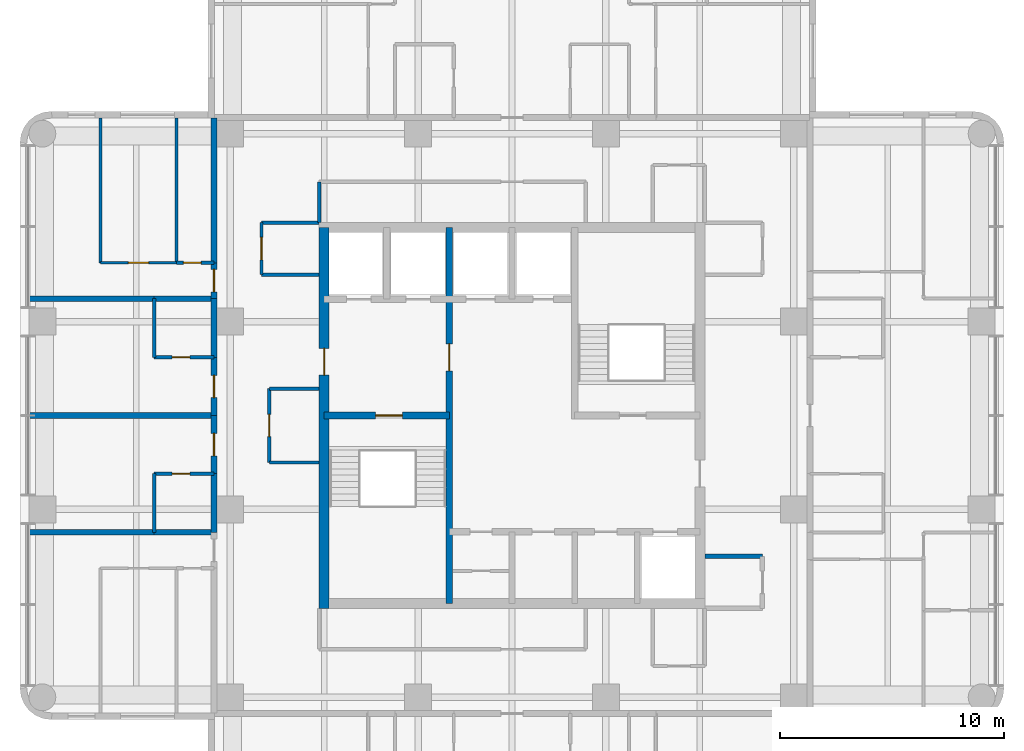
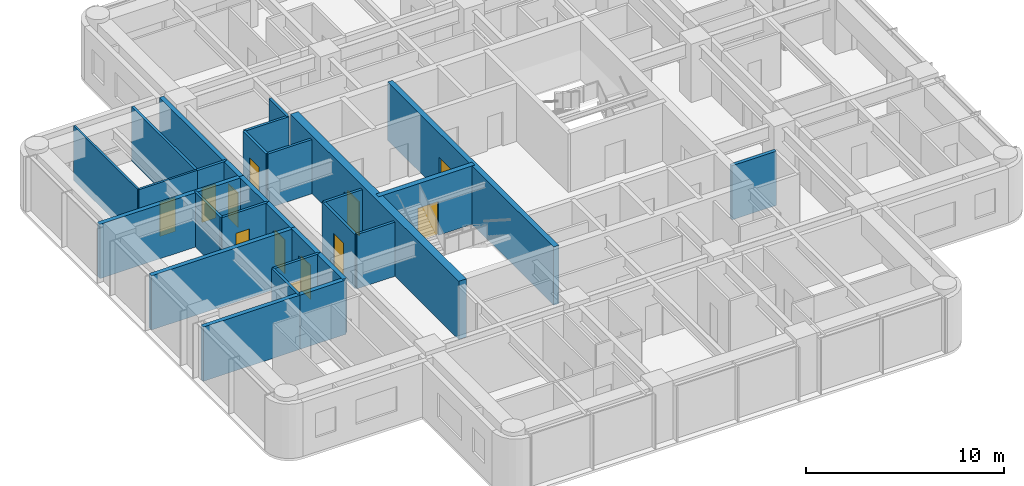
# One storey, part 5 of 10: 30 walls, 12 doors, 12 openings.
"""IFC4 building model written with IfcOpenShell, lengths in metres."""

import ifcopenshell
import ifcopenshell.guid

model = None  # the IFC model being written
_history = None  # IfcOwnerHistory: only IFC2X3 demands one
_inside = {}  # id of a spatial element -> (the spatial element, [elements in it])
_under = {}  # id of a project, library or spatial element -> (it, [spatial elements below it])
_declared = {}  # id of a project -> (the project, [libraries it declares])
_typed = {}  # id of a type object -> (the type object, [elements of that type])
_made_of = {}  # id of a material, layer set ... -> (it, [elements and type objects made of it])


def new_model(schema):
    """Start an empty IFC model of exactly this schema.

    Asked for "IFC4X3", IfcOpenShell would pick the latest addendum, in which some entities
    have other attributes; the version numbers below select the first issue.
    IFC2X3 requires an IfcOwnerHistory on every rooted entity: one is made here for all.
    """
    global model, _history
    if schema == "IFC4X3":
        model = ifcopenshell.file(schema_version=(4, 3, 0, 0))
    else:
        model = ifcopenshell.file(schema=schema)
    _inside.clear()
    _under.clear()
    _declared.clear()
    _typed.clear()
    _made_of.clear()
    _history = None
    if model.schema == "IFC2X3":
        org = make("IfcOrganization", Name="unknown")
        user = make(
            "IfcPersonAndOrganization",
            ThePerson=make("IfcPerson", FamilyName="unknown"),
            TheOrganization=org,
        )
        app = make(
            "IfcApplication",
            ApplicationDeveloper=org,
            Version="unknown",
            ApplicationFullName="unknown",
            ApplicationIdentifier="unknown",
        )
        _history = make(
            "IfcOwnerHistory",
            OwningUser=user,
            OwningApplication=app,
            ChangeAction="ADDED",
            CreationDate=0,
        )
    return model


def make(cls, **values):
    """One entity of the class cls with the attributes given. An attribute that is None is left unset."""
    return model.create_entity(
        cls, **{name: value for name, value in values.items() if value is not None}
    )


def rooted(cls, **values):
    """An entity with a GlobalId (a new one), such as an element, a storey or a relation."""
    return make(cls, GlobalId=ifcopenshell.guid.new(), OwnerHistory=_history, **values)


def si_unit(unit_type, name, prefix=None):
    """IfcSIUnit, for example si_unit("LENGTHUNIT", "METRE", prefix="MILLI")."""
    return make("IfcSIUnit", UnitType=unit_type, Prefix=prefix, Name=name)


def assignment(units):
    """IfcUnitAssignment: the units of a project."""
    return None if units is None else make("IfcUnitAssignment", Units=units)


def point(xyz):
    """IfcCartesianPoint."""
    return None if xyz is None else make("IfcCartesianPoint", Coordinates=xyz)


def direction(xyz):
    """IfcDirection."""
    return None if xyz is None else make("IfcDirection", DirectionRatios=xyz)


def frame(location, z_axis=None, x_axis=None):
    """IfcAxis2Placement3D, a coordinate frame: its origin and axes. An axis left out is left unset."""
    return make(
        "IfcAxis2Placement3D",
        Location=point(location),
        Axis=direction(z_axis),
        RefDirection=direction(x_axis),
    )


def frame_2d(location, x_axis=None):
    """IfcAxis2Placement2D, a coordinate frame in the plane: its origin and x axis."""
    return make(
        "IfcAxis2Placement2D", Location=point(location), RefDirection=direction(x_axis)
    )


def origin():
    """The frame at (0, 0, 0) with its axes left unset."""
    return frame((0.0, 0.0, 0.0))


def place(relative_to, where):
    """IfcLocalPlacement: puts the frame where relative to a parent placement (None: the world)."""
    return make(
        "IfcLocalPlacement", PlacementRelTo=relative_to, RelativePlacement=where
    )


def context(
    kind, dimensions, precision=None, world=None, true_north=None, identifier=None
):
    """IfcGeometricRepresentationContext, for example the 3D "Model" context."""
    return make(
        "IfcGeometricRepresentationContext",
        ContextIdentifier=identifier,
        ContextType=kind,
        CoordinateSpaceDimension=dimensions,
        Precision=precision,
        WorldCoordinateSystem=world,
        TrueNorth=true_north,
    )


def subcontext(parent, identifier, kind, view, scale=None):
    """IfcGeometricRepresentationSubContext, for example "Body" below "Model"."""
    return make(
        "IfcGeometricRepresentationSubContext",
        ContextIdentifier=identifier,
        ContextType=kind,
        ParentContext=parent,
        TargetScale=scale,
        TargetView=view,
    )


def project(units=None, contexts=None):
    """IfcProject with its units and contexts."""
    return rooted(
        "IfcProject",
        Name="project",
        RepresentationContexts=contexts,
        UnitsInContext=assignment(units),
    )


def spatial(cls, under=None, at=None, **own):
    """A site, building, storey or space (cls), placed at a placement, below another one or the project."""
    s = rooted(cls, ObjectPlacement=at, **own)
    if under is not None:
        _under.setdefault(under.id(), (under, []))[1].append(s)
    return s


def profile(cls, at=None, kind="AREA", **sizes):
    """A parametric profile (cls). Its sizes go by their IFC names, for example OverallWidth=200.0."""
    return make(cls, ProfileType=kind, Position=at, **sizes)


def rectangle(**sizes):
    """IfcRectangleProfileDef."""
    return profile("IfcRectangleProfileDef", **sizes)


def extrude(swept, where, along, depth):
    """IfcExtrudedAreaSolid: the profile swept, set in the frame where, extruded along a direction by depth."""
    return make(
        "IfcExtrudedAreaSolid",
        SweptArea=swept,
        Position=where,
        ExtrudedDirection=direction(along),
        Depth=depth,
    )


def shape(context_of_items, identifier, shape_type, items):
    """IfcShapeRepresentation: the items that make up one representation, for example the "Body"."""
    return make(
        "IfcShapeRepresentation",
        ContextOfItems=context_of_items,
        RepresentationIdentifier=identifier,
        RepresentationType=shape_type,
        Items=items,
    )


def material(Name=None, Category=None):
    """IfcMaterial."""
    return make("IfcMaterial", Name=Name, Category=Category)


def layer(
    of_material, thickness, ventilated=None, Name=None, Category=None, Priority=None
):
    """IfcMaterialLayer: one layer of a wall or slab, of a material (None: an air gap)."""
    return make(
        "IfcMaterialLayer",
        Material=of_material,
        LayerThickness=thickness,
        IsVentilated=ventilated,
        Name=Name,
        Category=Category,
        Priority=Priority,
    )


def layer_set(layers, Name=None):
    """IfcMaterialLayerSet."""
    return make("IfcMaterialLayerSet", MaterialLayers=layers, LayerSetName=Name)


def made_of(thing, what):
    """Note that an element or type object is made of a material, layer set ...; save() writes the relation."""
    if what is not None:
        _made_of.setdefault(what.id(), (what, []))[1].append(thing)
    return thing


def type_object(cls, material=None, **own):
    """A type object (cls), such as IfcWallType, which elements share."""
    return made_of(rooted(cls, **own), material)


def element(
    cls,
    number,
    at=None,
    inside=None,
    cuts=None,
    type_object=None,
    material=None,
    context=None,
    identifier="Body",
    shape_type=None,
    held_by="IfcProductDefinitionShape",
    body=None,
    shapes=None,
    **own,
):
    """One element of the class cls, such as IfcWall. Its Tag is "e" and its number.

    at: its placement. inside: the storey or other place that contains it. cuts: it is an
    opening in that element (IfcRelVoidsElement). A single representation is given by context,
    identifier, shape_type and body (its items); several are given by shapes. held_by: the class
    of the entity that holds the representations. save() writes the other relations.
    """
    e = rooted(cls, Tag="e%d" % number, ObjectPlacement=at, **own)
    if body is not None:
        shapes = [shape(context, identifier, shape_type, body)]
    if shapes is not None:
        e.Representation = make(held_by, Representations=shapes)
    if inside is not None:
        _inside.setdefault(inside.id(), (inside, []))[1].append(e)
    if cuts is not None:
        rooted(
            "IfcRelVoidsElement", RelatingBuildingElement=cuts, RelatedOpeningElement=e
        )
    if type_object is not None:
        _typed.setdefault(type_object.id(), (type_object, []))[1].append(e)
    return made_of(e, material)


def fill(opening, filler):
    """IfcRelFillsElement: the door or window that sits in an opening."""
    return rooted(
        "IfcRelFillsElement",
        RelatingOpeningElement=opening,
        RelatedBuildingElement=filler,
    )


def aggregate(whole, parts):
    """IfcRelAggregates: a whole, such as a stair, and the parts it consists of."""
    return rooted("IfcRelAggregates", RelatingObject=whole, RelatedObjects=parts)


def save(model, path):
    """Write the relations noted so far, then the file.

    IfcRelAggregates (storeys below a building ...), IfcRelContainedInSpatialStructure (elements
    in a storey), IfcRelDefinesByType, IfcRelAssociatesMaterial and IfcRelDeclares: one each for
    every whole, place, type object, material and project.
    """
    for whole, parts in _under.values():
        aggregate(whole, parts)
    for where, things in _inside.values():
        rooted(
            "IfcRelContainedInSpatialStructure",
            RelatedElements=things,
            RelatingStructure=where,
        )
    for kind, things in _typed.values():
        rooted("IfcRelDefinesByType", RelatedObjects=things, RelatingType=kind)
    for what, things in _made_of.values():
        rooted("IfcRelAssociatesMaterial", RelatedObjects=things, RelatingMaterial=what)
    for by, libraries in _declared.values():
        rooted("IfcRelDeclares", RelatingContext=by, RelatedDefinitions=libraries)
    model.write(path)


model = new_model("IFC4")

# Units and contexts
model_context = context("Model", 3, precision=1e-05, world=origin(), true_north=direction((0.0, 1.0)))
body_context = subcontext(model_context, "Body", "Model", "MODEL_VIEW")
ifc_project = project(units=[si_unit("LENGTHUNIT", "METRE"), si_unit("AREAUNIT", "SQUARE_METRE"), si_unit("VOLUMEUNIT", "CUBIC_METRE"), si_unit("PLANEANGLEUNIT", "RADIAN"), si_unit("MASSUNIT", "GRAM", prefix="KILO")], contexts=[model_context])

# Site, building, storey
site_placement = place(None, origin())
site = spatial("IfcSite", under=ifc_project, at=site_placement, CompositionType="ELEMENT")
building_placement = place(site_placement, origin())
building = spatial("IfcBuilding", under=site, at=building_placement, Name="Torre Alcanfor", CompositionType="ELEMENT")
storey_placement = place(building_placement, frame((0.0, 0.0, 297.300048828125)))
storey = spatial("IfcBuildingStorey", under=building, at=storey_placement, Name="L78", CompositionType="ELEMENT", Elevation=297.300048828125)

# Wall, opening, door
ifc_material_1 = material(Name="Concrete block masonry, hollow blocks NMX-C-404 9 MPa", Category="masonry")
ifc_layer_1 = layer(ifc_material_1, 0.25)
ifc_layer_set_1 = layer_set([ifc_layer_1], Name="Apartment entrance wall 250 EI 60")
wall_type_1 = type_object("IfcWallType", Name="Apartment entrance wall 250 EI 60", PredefinedType="PARTITIONING", material=ifc_layer_set_1)
wall_1_placement = place(storey_placement, frame((16.074951171875, 26.800048828125, 0.0), z_axis=(0.0, 0.0, 1.0), x_axis=(0.0, 1.0, 0.0)))
wall_1 = element("IfcWall", 1, at=wall_1_placement, inside=storey, type_object=wall_type_1, Name="Partition L78-CORR / L78-W1A-STUDIO", PredefinedType="PARTITIONING", context=body_context, shape_type="SweptSolid", body=[
    extrude(rectangle(XDim=2.599853515625, YDim=0.25, at=frame_2d((1.2998046875, 0.0))), origin(), (0.0, 0.0, 1.0), 3.349853515625),
])
opening_1_placement = place(wall_1_placement, frame((0.800048828125, 0.0, 0.0)))
opening_1 = element("IfcOpeningElement", 2, at=opening_1_placement, cuts=wall_1, Name="Opening D-A1", PredefinedType="OPENING", context=body_context, shape_type="SweptSolid", body=[
    extrude(rectangle(XDim=1.0, YDim=2.10009765625, at=frame_2d((0.5, 1.050048828125))), frame((0.0, 0.135009765625, 0.0), z_axis=(0.0, -1.0, 0.0), x_axis=(1.0, 0.0, 0.0)), (0.0, 0.0, 1.0), 0.27001953125),
])
ifc_material_2 = material(Name="Galvanised steel sheet ASTM A653", Category="steel")
door_type_1 = type_object("IfcDoorType", Name="Apartment entrance door FD60 1000x2100", OperationType="SINGLE_SWING_LEFT", PredefinedType="DOOR", material=ifc_material_2)
door_1_placement = place(opening_1_placement, origin())
door_1 = element("IfcDoor", 3, at=door_1_placement, inside=storey, type_object=door_type_1, Name="Apartment entrance L78-W1A", OperationType="SINGLE_SWING_LEFT", OverallHeight=2.10009765625, OverallWidth=1.0, PredefinedType="DOOR", context=body_context, shape_type="SweptSolid", body=[
    extrude(rectangle(XDim=1.0, YDim=2.10009765625, at=frame_2d((0.5, 1.050048828125))), frame((0.0, 0.02490234375, 0.0), z_axis=(0.0, -1.0, 0.0), x_axis=(1.0, 0.0, 0.0)), (0.0, 0.0, 1.0), 0.050048828125),
])
fill(opening_1, door_1)

# Wall
wall_2_placement = place(storey_placement, frame((16.074951171875, 24.1708984375, 0.0), z_axis=(0.0, 0.0, 1.0), x_axis=(0.0, 1.0, 0.0)))
element("IfcWall", 4, at=wall_2_placement, inside=storey, type_object=wall_type_1, Name="Partition L78-CORR / L78-W1A-BATH", PredefinedType="PARTITIONING", context=body_context, shape_type="SweptSolid", body=[
    extrude(rectangle(XDim=2.629150390625, YDim=0.25, at=frame_2d((1.314453125, 0.0))), origin(), (0.0, 0.0, 1.0), 3.349853515625),
])

# Wall, opening, door
wall_3_placement = place(storey_placement, frame((16.074951171875, 29.39990234375, 0.0), z_axis=(0.0, 0.0, 1.0), x_axis=(0.0, 1.0, 0.0)))
wall_3 = element("IfcWall", 5, at=wall_3_placement, inside=storey, type_object=wall_type_1, Name="Partition L78-CORR / L78-W2A-STUDIO", PredefinedType="PARTITIONING", context=body_context, shape_type="SweptSolid", body=[
    extrude(rectangle(XDim=2.60009765625, YDim=0.25, at=frame_2d((1.300048828125, 0.0))), origin(), (0.0, 0.0, 1.0), 3.349853515625),
])
opening_2_placement = place(wall_3_placement, frame((0.800048828125, 0.0, 0.0)))
opening_2 = element("IfcOpeningElement", 6, at=opening_2_placement, cuts=wall_3, Name="Opening D-A1", PredefinedType="OPENING", context=body_context, shape_type="SweptSolid", body=[
    extrude(rectangle(XDim=1.0, YDim=2.10009765625, at=frame_2d((0.5, 1.050048828125))), frame((0.0, 0.135009765625, 0.0), z_axis=(0.0, -1.0, 0.0), x_axis=(1.0, 0.0, 0.0)), (0.0, 0.0, 1.0), 0.27001953125),
])
door_2_placement = place(opening_2_placement, origin())
door_2 = element("IfcDoor", 7, at=door_2_placement, inside=storey, type_object=door_type_1, Name="Apartment entrance L78-W2A", OperationType="SINGLE_SWING_LEFT", OverallHeight=2.10009765625, OverallWidth=1.0, PredefinedType="DOOR", context=body_context, shape_type="SweptSolid", body=[
    extrude(rectangle(XDim=1.0, YDim=2.10009765625, at=frame_2d((0.5, 1.050048828125))), frame((0.0, 0.02490234375, 0.0), z_axis=(0.0, -1.0, 0.0), x_axis=(1.0, 0.0, 0.0)), (0.0, 0.0, 1.0), 0.050048828125),
])
fill(opening_2, door_2)

# Wall
wall_4_placement = place(storey_placement, frame((16.074951171875, 32.0, 0.0), z_axis=(0.0, 0.0, 1.0), x_axis=(0.0, 1.0, 0.0)))
element("IfcWall", 8, at=wall_4_placement, inside=storey, type_object=wall_type_1, Name="Partition L78-CORR / L78-W2A-BATH", PredefinedType="PARTITIONING", context=body_context, shape_type="SweptSolid", body=[
    extrude(rectangle(XDim=2.62890625, YDim=0.25, at=frame_2d((1.314453125, 0.0))), origin(), (0.0, 0.0, 1.0), 3.349853515625),
])

# Wall, opening, door
wall_5_placement = place(storey_placement, frame((16.074951171875, 34.62890625, 0.0), z_axis=(0.0, 0.0, 1.0), x_axis=(0.0, 1.0, 0.0)))
wall_5 = element("IfcWall", 9, at=wall_5_placement, inside=storey, type_object=wall_type_1, Name="Partition L78-CORR / L78-W2B-LIVING", PredefinedType="PARTITIONING", context=body_context, shape_type="SweptSolid", body=[
    extrude(rectangle(XDim=1.60009765625, YDim=0.25, at=frame_2d((0.800048828125, 0.0))), origin(), (0.0, 0.0, 1.0), 3.349853515625),
])
opening_3_placement = place(wall_5_placement, frame((0.300048828125, 0.0, 0.0)))
opening_3 = element("IfcOpeningElement", 10, at=opening_3_placement, cuts=wall_5, Name="Opening D-A1", PredefinedType="OPENING", context=body_context, shape_type="SweptSolid", body=[
    extrude(rectangle(XDim=1.0, YDim=2.10009765625, at=frame_2d((0.5, 1.050048828125))), frame((0.0, 0.135009765625, 0.0), z_axis=(0.0, -1.0, 0.0), x_axis=(1.0, 0.0, 0.0)), (0.0, 0.0, 1.0), 0.27001953125),
])
door_3_placement = place(opening_3_placement, origin())
door_3 = element("IfcDoor", 11, at=door_3_placement, inside=storey, type_object=door_type_1, Name="Apartment entrance L78-W2B", OperationType="SINGLE_SWING_LEFT", OverallHeight=2.10009765625, OverallWidth=1.0, PredefinedType="DOOR", context=body_context, shape_type="SweptSolid", body=[
    extrude(rectangle(XDim=1.0, YDim=2.10009765625, at=frame_2d((0.5, 1.050048828125))), frame((0.0, 0.02490234375, 0.0), z_axis=(0.0, -1.0, 0.0), x_axis=(1.0, 0.0, 0.0)), (0.0, 0.0, 1.0), 0.050048828125),
])
fill(opening_3, door_3)

# Walls
wall_6_placement = place(storey_placement, frame((16.074951171875, 36.22900390625, 0.0), z_axis=(0.0, 0.0, 1.0), x_axis=(0.0, 1.0, 0.0)))
element("IfcWall", 12, at=wall_6_placement, inside=storey, type_object=wall_type_1, Name="Partition L78-CORR / L78-W2B-BATH", PredefinedType="PARTITIONING", context=body_context, shape_type="SweptSolid", body=[
    extrude(rectangle(XDim=6.470947265625, YDim=0.25, at=frame_2d((3.2353515625, 0.0))), origin(), (0.0, 0.0, 1.0), 3.349853515625),
])
ifc_material_3 = material(Name="Gypsum board on steel studs", Category="steel")
ifc_layer_2 = layer(ifc_material_3, 0.1201171875)
ifc_layer_set_2 = layer_set([ifc_layer_2], Name="Apartment partition 120")
wall_type_2 = type_object("IfcWallType", Name="Apartment partition 120", PredefinedType="PARTITIONING", material=ifc_layer_set_2)
wall_7_placement = place(storey_placement, frame((11.0, 42.699951171875, 0.0), z_axis=(0.0, 0.0, 1.0), x_axis=(0.0, -1.0, 0.0)))
element("IfcWall", 13, at=wall_7_placement, inside=storey, type_object=wall_type_2, Name="Partition L78-W2B-LIVING / L78-W2B-MASTER", PredefinedType="PARTITIONING", context=body_context, shape_type="SweptSolid", body=[
    extrude(rectangle(XDim=6.470947265625, YDim=0.1201171875, at=frame_2d((3.2353515625, 0.0))), origin(), (0.0, 0.0, 1.0), 3.349853515625),
])

# Wall, opening, door
wall_8_placement = place(storey_placement, frame((11.0, 36.22900390625, 0.0), z_axis=(0.0, 0.0, 1.0), x_axis=(1.0, 0.0, 0.0)))
wall_8 = element("IfcWall", 14, at=wall_8_placement, inside=storey, type_object=wall_type_2, Name="Partition L78-W2B-LIVING / L78-W2B-MASTER", PredefinedType="PARTITIONING", context=body_context, shape_type="SweptSolid", body=[
    extrude(rectangle(XDim=3.39990234375, YDim=0.1201171875, at=frame_2d((1.699951171875, 0.0))), origin(), (0.0, 0.0, 1.0), 3.349853515625),
])
opening_4_placement = place(wall_8_placement, frame((1.25, 0.0, 0.0)))
opening_4 = element("IfcOpeningElement", 15, at=opening_4_placement, cuts=wall_8, Name="Opening D-R1", PredefinedType="OPENING", context=body_context, shape_type="SweptSolid", body=[
    extrude(rectangle(XDim=0.89990234375, YDim=2.10009765625, at=frame_2d((0.449951171875, 1.050048828125))), frame((0.0, 0.070068359375, 0.0), z_axis=(0.0, -1.0, 0.0), x_axis=(1.0, 0.0, 0.0)), (0.0, 0.0, 1.0), 0.14013671875),
])
ifc_material_4 = material(Name="Timber", Category="wood")
door_type_2 = type_object("IfcDoorType", Name="Internal door 900x2100", OperationType="SINGLE_SWING_LEFT", PredefinedType="DOOR", material=ifc_material_4)
door_4_placement = place(opening_4_placement, origin())
door_4 = element("IfcDoor", 16, at=door_4_placement, inside=storey, type_object=door_type_2, Name="Door L78-W2B master", OperationType="SINGLE_SWING_LEFT", OverallHeight=2.10009765625, OverallWidth=0.89990234375, PredefinedType="DOOR", context=body_context, shape_type="SweptSolid", body=[
    extrude(rectangle(XDim=0.89990234375, YDim=2.10009765625, at=frame_2d((0.449951171875, 1.050048828125))), frame((0.0, 0.02490234375, 0.0), z_axis=(0.0, -1.0, 0.0), x_axis=(1.0, 0.0, 0.0)), (0.0, 0.0, 1.0), 0.050048828125),
])
fill(opening_4, door_4)

ifc_material_5 = material(Name="Concrete f'c 70 MPa", Category="concrete")
ifc_layer_3 = layer(ifc_material_5, 0.300048828125)
ifc_layer_set_3 = layer_set([ifc_layer_3], Name="Core inner wall 300 f'c70")
wall_type_3 = type_object("IfcWallType", Name="Core inner wall 300 f'c70", PredefinedType="SHEAR", material=ifc_layer_set_3)
wall_9_placement = place(storey_placement, frame((26.60009765625, 21.0, 0.0), z_axis=(0.0, 0.0, 1.0), x_axis=(0.0, 1.0, 0.0)))
wall_9 = element("IfcWall", 17, at=wall_9_placement, inside=storey, type_object=wall_type_3, Name="Core wall X266 L78", PredefinedType="SHEAR", context=body_context, shape_type="SweptSolid", body=[
    extrude(rectangle(XDim=16.800048828125, YDim=0.300048828125, at=frame_2d((8.39990234375, 0.0))), origin(), (0.0, 0.0, 1.0), 3.599853515625),
])
opening_5_placement = place(wall_9_placement, frame((10.39990234375, 0.0, 0.0)))
opening_5 = element("IfcOpeningElement", 18, at=opening_5_placement, cuts=wall_9, Name="Opening D-L1", PredefinedType="OPENING", context=body_context, shape_type="SweptSolid", body=[
    extrude(rectangle(XDim=1.199951171875, YDim=2.10009765625, at=frame_2d((0.60009765625, 1.050048828125))), frame((0.0, 0.159912109375, 0.0), z_axis=(0.0, -1.0, 0.0), x_axis=(1.0, 0.0, 0.0)), (0.0, 0.0, 1.0), 0.320068359375),
])
ifc_material_6 = material(Name="Galvanised steel sheet ASTM A653", Category="steel")
door_type_3 = type_object("IfcDoorType", Name="Lobby door FD120 1200x2100", OperationType="SINGLE_SWING_LEFT", PredefinedType="DOOR", material=ifc_material_6)
door_5_placement = place(opening_5_placement, origin())
door_5 = element("IfcDoor", 19, at=door_5_placement, inside=storey, type_object=door_type_3, Name="Lift lobby door L78", OperationType="SINGLE_SWING_LEFT", OverallHeight=2.10009765625, OverallWidth=1.199951171875, PredefinedType="DOOR", context=body_context, shape_type="SweptSolid", body=[
    extrude(rectangle(XDim=1.199951171875, YDim=2.10009765625, at=frame_2d((0.60009765625, 1.050048828125))), frame((0.0, 0.02490234375, 0.0), z_axis=(0.0, -1.0, 0.0), x_axis=(1.0, 0.0, 0.0)), (0.0, 0.0, 1.0), 0.050048828125),
])
fill(opening_5, door_5)

wall_10_placement = place(storey_placement, frame((21.0, 29.39990234375, 0.0), z_axis=(0.0, 0.0, 1.0), x_axis=(1.0, 0.0, 0.0)))
wall_10 = element("IfcWall", 20, at=wall_10_placement, inside=storey, type_object=wall_type_3, Name="Core wall Y294W L78", PredefinedType="SHEAR", context=body_context, shape_type="SweptSolid", body=[
    extrude(rectangle(XDim=5.60009765625, YDim=0.300048828125, at=frame_2d((2.800048828125, 0.0))), origin(), (0.0, 0.0, 1.0), 3.599853515625),
])
opening_6_placement = place(wall_10_placement, frame((2.300048828125, 0.0, 0.0)))
opening_6 = element("IfcOpeningElement", 21, at=opening_6_placement, cuts=wall_10, Name="Opening D-S2", PredefinedType="OPENING", context=body_context, shape_type="SweptSolid", body=[
    extrude(rectangle(XDim=1.199951171875, YDim=2.10009765625, at=frame_2d((0.60009765625, 1.050048828125))), frame((0.0, 0.159912109375, 0.0), z_axis=(0.0, -1.0, 0.0), x_axis=(1.0, 0.0, 0.0)), (0.0, 0.0, 1.0), 0.320068359375),
])
ifc_material_7 = material(Name="Galvanised steel sheet ASTM A653", Category="steel")
door_type_4 = type_object("IfcDoorType", Name="Stair enclosure door FD120 1200x2100", OperationType="SINGLE_SWING_LEFT", PredefinedType="DOOR", material=ifc_material_7)
door_6_placement = place(opening_6_placement, frame((1.199951171875, 0.0, 0.0), z_axis=(0.0, 0.0, 1.0), x_axis=(-1.0, 0.0, 0.0)))
door_6 = element("IfcDoor", 22, at=door_6_placement, inside=storey, type_object=door_type_4, Name="Stair S1 door L78", OperationType="SINGLE_SWING_LEFT", OverallHeight=2.10009765625, OverallWidth=1.199951171875, PredefinedType="DOOR", context=body_context, shape_type="SweptSolid", body=[
    extrude(rectangle(XDim=1.199951171875, YDim=2.10009765625, at=frame_2d((0.599853515625, 1.050048828125))), frame((0.0, 0.025146484375, 0.0), z_axis=(0.0, -1.0, 0.0), x_axis=(1.0, 0.0, 0.0)), (0.0, 0.0, 1.0), 0.050048828125),
])
fill(opening_6, door_6)

ifc_material_8 = material(Name="Concrete f'c 70 MPa", Category="concrete")
ifc_layer_4 = layer(ifc_material_8, 0.449951171875)
ifc_layer_set_4 = layer_set([ifc_layer_4], Name="Core wall 450 f'c70")
wall_type_4 = type_object("IfcWallType", Name="Core wall 450 f'c70", PredefinedType="SHEAR", material=ifc_layer_set_4)
wall_11_placement = place(storey_placement, frame((21.0, 37.800048828125, 0.0), z_axis=(0.0, 0.0, 1.0), x_axis=(0.0, -1.0, 0.0)))
wall_11 = element("IfcWall", 23, at=wall_11_placement, inside=storey, type_object=wall_type_4, Name="Core wall OUT-W L78", PredefinedType="SHEAR", context=body_context, shape_type="SweptSolid", body=[
    extrude(rectangle(XDim=17.025146484375, YDim=0.449951171875, at=frame_2d((8.5126953125, 0.0))), origin(), (0.0, 0.0, 1.0), 3.599853515625),
])
opening_7_placement = place(wall_11_placement, frame((5.39990234375, 0.0, 0.0)))
opening_7 = element("IfcOpeningElement", 24, at=opening_7_placement, cuts=wall_11, Name="Opening D-L1", PredefinedType="OPENING", context=body_context, shape_type="SweptSolid", body=[
    extrude(rectangle(XDim=1.199951171875, YDim=2.10009765625, at=frame_2d((0.60009765625, 1.050048828125))), frame((0.0, 0.23486328125, 0.0), z_axis=(0.0, -1.0, 0.0), x_axis=(1.0, 0.0, 0.0)), (0.0, 0.0, 1.0), 0.469970703125),
])
door_7_placement = place(opening_7_placement, origin())
door_7 = element("IfcDoor", 25, at=door_7_placement, inside=storey, type_object=door_type_3, Name="Firefighting lobby door L78", OperationType="SINGLE_SWING_RIGHT", OverallHeight=2.10009765625, OverallWidth=1.199951171875, PredefinedType="DOOR", context=body_context, shape_type="SweptSolid", body=[
    extrude(rectangle(XDim=1.199951171875, YDim=2.10009765625, at=frame_2d((0.60009765625, 1.050048828125))), frame((0.0, 0.02490234375, 0.0), z_axis=(0.0, -1.0, 0.0), x_axis=(1.0, 0.0, 0.0)), (0.0, 0.0, 1.0), 0.050048828125),
])
fill(opening_7, door_7)

# Walls
ifc_material_9 = material(Name="Concrete block masonry, hollow blocks NMX-C-404 9 MPa", Category="masonry")
ifc_layer_5 = layer(ifc_material_9, 0.25)
ifc_layer_set_5 = layer_set([ifc_layer_5], Name="Party wall 250 EI 60")
wall_type_5 = type_object("IfcWallType", Name="Party wall 250 EI 60", PredefinedType="PARTITIONING", material=ifc_layer_set_5)
wall_12_placement = place(storey_placement, frame((13.39990234375, 24.1708984375, 0.0), z_axis=(0.0, 0.0, 1.0), x_axis=(-1.0, 0.0, 0.0)))
element("IfcWall", 26, at=wall_12_placement, inside=storey, type_object=wall_type_5, Name="Partition L78-W1A-STUDIO / L78-W1B-LIVING", PredefinedType="PARTITIONING", context=body_context, shape_type="SweptSolid", body=[
    extrude(rectangle(XDim=5.64990234375, YDim=0.25, at=frame_2d((2.824951171875, 0.0))), origin(), (0.0, 0.0, 1.0), 3.349853515625),
])
wall_13_placement = place(storey_placement, frame((7.75, 29.39990234375, 0.0), z_axis=(0.0, 0.0, 1.0), x_axis=(1.0, 0.0, 0.0)))
element("IfcWall", 27, at=wall_13_placement, inside=storey, type_object=wall_type_5, Name="Partition L78-W1A-STUDIO / L78-W2A-STUDIO", PredefinedType="PARTITIONING", context=body_context, shape_type="SweptSolid", body=[
    extrude(rectangle(XDim=8.324951171875, YDim=0.25, at=frame_2d((4.16259765625, 0.0))), origin(), (0.0, 0.0, 1.0), 3.349853515625),
])
wall_14_placement = place(storey_placement, frame((13.39990234375, 24.1708984375, 0.0), z_axis=(0.0, 0.0, 1.0), x_axis=(1.0, 0.0, 0.0)))
element("IfcWall", 28, at=wall_14_placement, inside=storey, type_object=wall_type_5, Name="Partition L78-W1A-BATH / L78-W1B-LIVING", PredefinedType="PARTITIONING", context=body_context, shape_type="SweptSolid", body=[
    extrude(rectangle(XDim=2.675048828125, YDim=0.25, at=frame_2d((1.33740234375, 0.0))), origin(), (0.0, 0.0, 1.0), 3.349853515625),
])
wall_15_placement = place(storey_placement, frame((7.75, 34.62890625, 0.0), z_axis=(0.0, 0.0, 1.0), x_axis=(1.0, 0.0, 0.0)))
element("IfcWall", 29, at=wall_15_placement, inside=storey, type_object=wall_type_5, Name="Partition L78-W2A-STUDIO / L78-W2B-LIVING", PredefinedType="PARTITIONING", context=body_context, shape_type="SweptSolid", body=[
    extrude(rectangle(XDim=5.64990234375, YDim=0.25, at=frame_2d((2.824951171875, 0.0))), origin(), (0.0, 0.0, 1.0), 3.349853515625),
])
wall_16_placement = place(storey_placement, frame((13.39990234375, 34.62890625, 0.0), z_axis=(0.0, 0.0, 1.0), x_axis=(1.0, 0.0, 0.0)))
element("IfcWall", 30, at=wall_16_placement, inside=storey, type_object=wall_type_5, Name="Partition L78-W2A-BATH / L78-W2B-LIVING", PredefinedType="PARTITIONING", context=body_context, shape_type="SweptSolid", body=[
    extrude(rectangle(XDim=2.675048828125, YDim=0.25, at=frame_2d((1.33740234375, 0.0))), origin(), (0.0, 0.0, 1.0), 3.349853515625),
])
ifc_material_10 = material(Name="Concrete block masonry, hollow blocks NMX-C-404 9 MPa", Category="masonry")
ifc_layer_6 = layer(ifc_material_10, 0.199951171875)
ifc_layer_set_6 = layer_set([ifc_layer_6], Name="Plant room wall 200 EI 60")
wall_type_6 = type_object("IfcWallType", Name="Plant room wall 200 EI 60", PredefinedType="PARTITIONING", material=ifc_layer_set_6)
wall_17_placement = place(storey_placement, frame((40.60009765625, 23.10009765625, 0.0), z_axis=(0.0, 0.0, 1.0), x_axis=(-1.0, 0.0, 0.0)))
element("IfcWall", 31, at=wall_17_placement, inside=storey, type_object=wall_type_6, Name="Partition L78-CORR / L78-G03", PredefinedType="PARTITIONING", context=body_context, shape_type="SweptSolid", body=[
    extrude(rectangle(XDim=2.5751953125, YDim=0.199951171875, at=frame_2d((1.28759765625, 0.0))), origin(), (0.0, 0.0, 1.0), 3.349853515625),
])
ifc_material_11 = material(Name="Concrete block masonry, hollow blocks NMX-C-404 9 MPa", Category="masonry")
ifc_layer_7 = layer(ifc_material_11, 0.14990234375)
ifc_layer_set_7 = layer_set([ifc_layer_7], Name="Residents' room partition 150")
wall_type_7 = type_object("IfcWallType", Name="Residents' room partition 150", PredefinedType="PARTITIONING", material=ifc_layer_set_7)
wall_18_placement = place(storey_placement, frame((20.77490234375, 39.85009765625, 0.0), z_axis=(0.0, 0.0, 1.0), x_axis=(0.0, -1.0, 0.0)))
element("IfcWall", 32, at=wall_18_placement, inside=storey, type_object=wall_type_7, Name="Partition L78-CORR / L78-G01", PredefinedType="PARTITIONING", context=body_context, shape_type="SweptSolid", body=[
    extrude(rectangle(XDim=1.8251953125, YDim=0.14990234375, at=frame_2d((0.91259765625, 0.0))), origin(), (0.0, 0.0, 1.0), 3.349853515625),
])
wall_19_placement = place(storey_placement, frame((20.77490234375, 30.60009765625, 0.0), z_axis=(0.0, 0.0, 1.0), x_axis=(-1.0, 0.0, 0.0)))
element("IfcWall", 33, at=wall_19_placement, inside=storey, type_object=wall_type_7, Name="Partition L78-CORR / L78-G07", PredefinedType="PARTITIONING", context=body_context, shape_type="SweptSolid", body=[
    extrude(rectangle(XDim=2.224853515625, YDim=0.14990234375, at=frame_2d((1.1123046875, 0.0))), origin(), (0.0, 0.0, 1.0), 3.349853515625),
])

# Wall, opening, door
wall_20_placement = place(storey_placement, frame((18.550048828125, 30.60009765625, 0.0), z_axis=(0.0, 0.0, 1.0), x_axis=(0.0, -1.0, 0.0)))
wall_20 = element("IfcWall", 34, at=wall_20_placement, inside=storey, type_object=wall_type_7, Name="Partition L78-CORR / L78-G07", PredefinedType="PARTITIONING", context=body_context, shape_type="SweptSolid", body=[
    extrude(rectangle(XDim=3.300048828125, YDim=0.14990234375, at=frame_2d((1.64990234375, 0.0))), origin(), (0.0, 0.0, 1.0), 3.349853515625),
])
opening_8_placement = place(wall_20_placement, frame((1.14990234375, 0.0, 0.0)))
opening_8 = element("IfcOpeningElement", 35, at=opening_8_placement, cuts=wall_20, Name="Opening D-M1", PredefinedType="OPENING", context=body_context, shape_type="SweptSolid", body=[
    extrude(rectangle(XDim=1.0, YDim=2.10009765625, at=frame_2d((0.5, 1.050048828125))), frame((0.0, 0.0849609375, 0.0), z_axis=(0.0, -1.0, 0.0), x_axis=(1.0, 0.0, 0.0)), (0.0, 0.0, 1.0), 0.169921875),
])
ifc_material_12 = material(Name="Timber", Category="wood")
door_type_5 = type_object("IfcDoorType", Name="Residents' room door 1000x2100", OperationType="SINGLE_SWING_LEFT", PredefinedType="DOOR", material=ifc_material_12)
door_8_placement = place(opening_8_placement, origin())
door_8 = element("IfcDoor", 36, at=door_8_placement, inside=storey, type_object=door_type_5, Name="Door L78-G07 linen store", OperationType="SINGLE_SWING_LEFT", OverallHeight=2.10009765625, OverallWidth=1.0, PredefinedType="DOOR", context=body_context, shape_type="SweptSolid", body=[
    extrude(rectangle(XDim=1.0, YDim=2.10009765625, at=frame_2d((0.5, 1.050048828125))), frame((0.0, 0.02490234375, 0.0), z_axis=(0.0, -1.0, 0.0), x_axis=(1.0, 0.0, 0.0)), (0.0, 0.0, 1.0), 0.050048828125),
])
fill(opening_8, door_8)

# Walls
wall_21_placement = place(storey_placement, frame((18.550048828125, 27.300048828125, 0.0), z_axis=(0.0, 0.0, 1.0), x_axis=(1.0, 0.0, 0.0)))
element("IfcWall", 37, at=wall_21_placement, inside=storey, type_object=wall_type_7, Name="Partition L78-CORR / L78-G07", PredefinedType="PARTITIONING", context=body_context, shape_type="SweptSolid", body=[
    extrude(rectangle(XDim=2.224853515625, YDim=0.14990234375, at=frame_2d((1.1123046875, 0.0))), origin(), (0.0, 0.0, 1.0), 3.349853515625),
])
wall_22_placement = place(storey_placement, frame((20.77490234375, 38.02490234375, 0.0), z_axis=(0.0, 0.0, 1.0), x_axis=(-1.0, 0.0, 0.0)))
element("IfcWall", 38, at=wall_22_placement, inside=storey, type_object=wall_type_7, Name="Partition L78-CORR / L78-G08", PredefinedType="PARTITIONING", context=body_context, shape_type="SweptSolid", body=[
    extrude(rectangle(XDim=2.574951171875, YDim=0.14990234375, at=frame_2d((1.28759765625, 0.0))), origin(), (0.0, 0.0, 1.0), 3.349853515625),
])

# Wall, opening, door
wall_23_placement = place(storey_placement, frame((18.199951171875, 38.02490234375, 0.0), z_axis=(0.0, 0.0, 1.0), x_axis=(0.0, -1.0, 0.0)))
wall_23 = element("IfcWall", 39, at=wall_23_placement, inside=storey, type_object=wall_type_7, Name="Partition L78-CORR / L78-G08", PredefinedType="PARTITIONING", context=body_context, shape_type="SweptSolid", body=[
    extrude(rectangle(XDim=2.324951171875, YDim=0.14990234375, at=frame_2d((1.16259765625, 0.0))), origin(), (0.0, 0.0, 1.0), 3.349853515625),
])
opening_9_placement = place(wall_23_placement, frame((0.66259765625, 0.0, 0.0)))
opening_9 = element("IfcOpeningElement", 40, at=opening_9_placement, cuts=wall_23, Name="Opening D-M1", PredefinedType="OPENING", context=body_context, shape_type="SweptSolid", body=[
    extrude(rectangle(XDim=1.0, YDim=2.10009765625, at=frame_2d((0.5, 1.050048828125))), frame((0.0, 0.0849609375, 0.0), z_axis=(0.0, -1.0, 0.0), x_axis=(1.0, 0.0, 0.0)), (0.0, 0.0, 1.0), 0.169921875),
])
door_9_placement = place(opening_9_placement, origin())
door_9 = element("IfcDoor", 41, at=door_9_placement, inside=storey, type_object=door_type_5, Name="Door L78-G08 residents' lockers", OperationType="SINGLE_SWING_LEFT", OverallHeight=2.10009765625, OverallWidth=1.0, PredefinedType="DOOR", context=body_context, shape_type="SweptSolid", body=[
    extrude(rectangle(XDim=1.0, YDim=2.10009765625, at=frame_2d((0.5, 1.050048828125))), frame((0.0, 0.02490234375, 0.0), z_axis=(0.0, -1.0, 0.0), x_axis=(1.0, 0.0, 0.0)), (0.0, 0.0, 1.0), 0.050048828125),
])
fill(opening_9, door_9)

# Wall
wall_24_placement = place(storey_placement, frame((18.199951171875, 35.699951171875, 0.0), z_axis=(0.0, 0.0, 1.0), x_axis=(1.0, 0.0, 0.0)))
element("IfcWall", 42, at=wall_24_placement, inside=storey, type_object=wall_type_7, Name="Partition L78-CORR / L78-G08", PredefinedType="PARTITIONING", context=body_context, shape_type="SweptSolid", body=[
    extrude(rectangle(XDim=2.574951171875, YDim=0.14990234375, at=frame_2d((1.28759765625, 0.0))), origin(), (0.0, 0.0, 1.0), 3.349853515625),
])

# Wall, opening, door
ifc_material_13 = material(Name="Cement board on steel studs", Category="steel")
ifc_layer_8 = layer(ifc_material_13, 0.14990234375)
ifc_layer_set_8 = layer_set([ifc_layer_8], Name="Wet area partition 150")
wall_type_8 = type_object("IfcWallType", Name="Wet area partition 150", PredefinedType="PARTITIONING", material=ifc_layer_set_8)
wall_25_placement = place(storey_placement, frame((16.074951171875, 26.800048828125, 0.0), z_axis=(0.0, 0.0, 1.0), x_axis=(-1.0, 0.0, 0.0)))
wall_25 = element("IfcWall", 43, at=wall_25_placement, inside=storey, type_object=wall_type_8, Name="Partition L78-W1A-STUDIO / L78-W1A-BATH", PredefinedType="PARTITIONING", context=body_context, shape_type="SweptSolid", body=[
    extrude(rectangle(XDim=2.675048828125, YDim=0.14990234375, at=frame_2d((1.33740234375, 0.0))), origin(), (0.0, 0.0, 1.0), 3.349853515625),
])
opening_10_placement = place(wall_25_placement, frame((1.074951171875, 0.0, 0.0)))
opening_10 = element("IfcOpeningElement", 44, at=opening_10_placement, cuts=wall_25, Name="Opening D-R2", PredefinedType="OPENING", context=body_context, shape_type="SweptSolid", body=[
    extrude(rectangle(XDim=0.800048828125, YDim=2.10009765625, at=frame_2d((0.39990234375, 1.050048828125))), frame((0.0, 0.0849609375, 0.0), z_axis=(0.0, -1.0, 0.0), x_axis=(1.0, 0.0, 0.0)), (0.0, 0.0, 1.0), 0.169921875),
])
ifc_material_14 = material(Name="Timber", Category="wood")
door_type_6 = type_object("IfcDoorType", Name="Bathroom door 800x2100", OperationType="SINGLE_SWING_LEFT", PredefinedType="DOOR", material=ifc_material_14)
door_10_placement = place(opening_10_placement, origin())
door_10 = element("IfcDoor", 45, at=door_10_placement, inside=storey, type_object=door_type_6, Name="Door L78-W1A bath", OperationType="SINGLE_SWING_RIGHT", OverallHeight=2.10009765625, OverallWidth=0.800048828125, PredefinedType="DOOR", context=body_context, shape_type="SweptSolid", body=[
    extrude(rectangle(XDim=0.800048828125, YDim=2.10009765625, at=frame_2d((0.39990234375, 1.050048828125))), frame((0.0, 0.02490234375, 0.0), z_axis=(0.0, -1.0, 0.0), x_axis=(1.0, 0.0, 0.0)), (0.0, 0.0, 1.0), 0.050048828125),
])
fill(opening_10, door_10)

# Walls
wall_26_placement = place(storey_placement, frame((13.39990234375, 26.800048828125, 0.0), z_axis=(0.0, 0.0, 1.0), x_axis=(0.0, -1.0, 0.0)))
element("IfcWall", 46, at=wall_26_placement, inside=storey, type_object=wall_type_8, Name="Partition L78-W1A-STUDIO / L78-W1A-BATH", PredefinedType="PARTITIONING", context=body_context, shape_type="SweptSolid", body=[
    extrude(rectangle(XDim=2.629150390625, YDim=0.14990234375, at=frame_2d((1.314453125, 0.0))), origin(), (0.0, 0.0, 1.0), 3.349853515625),
])
wall_27_placement = place(storey_placement, frame((13.39990234375, 34.62890625, 0.0), z_axis=(0.0, 0.0, 1.0), x_axis=(0.0, -1.0, 0.0)))
element("IfcWall", 47, at=wall_27_placement, inside=storey, type_object=wall_type_8, Name="Partition L78-W2A-STUDIO / L78-W2A-BATH", PredefinedType="PARTITIONING", context=body_context, shape_type="SweptSolid", body=[
    extrude(rectangle(XDim=2.62890625, YDim=0.14990234375, at=frame_2d((1.314453125, 0.0))), origin(), (0.0, 0.0, 1.0), 3.349853515625),
])

# Wall, opening, door
wall_28_placement = place(storey_placement, frame((13.39990234375, 32.0, 0.0), z_axis=(0.0, 0.0, 1.0), x_axis=(1.0, 0.0, 0.0)))
wall_28 = element("IfcWall", 48, at=wall_28_placement, inside=storey, type_object=wall_type_8, Name="Partition L78-W2A-STUDIO / L78-W2A-BATH", PredefinedType="PARTITIONING", context=body_context, shape_type="SweptSolid", body=[
    extrude(rectangle(XDim=2.675048828125, YDim=0.14990234375, at=frame_2d((1.33740234375, 0.0))), origin(), (0.0, 0.0, 1.0), 3.349853515625),
])
opening_11_placement = place(wall_28_placement, frame((0.800048828125, 0.0, 0.0)))
opening_11 = element("IfcOpeningElement", 49, at=opening_11_placement, cuts=wall_28, Name="Opening D-R2", PredefinedType="OPENING", context=body_context, shape_type="SweptSolid", body=[
    extrude(rectangle(XDim=0.800048828125, YDim=2.10009765625, at=frame_2d((0.39990234375, 1.050048828125))), frame((0.0, 0.0849609375, 0.0), z_axis=(0.0, -1.0, 0.0), x_axis=(1.0, 0.0, 0.0)), (0.0, 0.0, 1.0), 0.169921875),
])
door_11_placement = place(opening_11_placement, origin())
door_11 = element("IfcDoor", 50, at=door_11_placement, inside=storey, type_object=door_type_6, Name="Door L78-W2A bath", OperationType="SINGLE_SWING_LEFT", OverallHeight=2.10009765625, OverallWidth=0.800048828125, PredefinedType="DOOR", context=body_context, shape_type="SweptSolid", body=[
    extrude(rectangle(XDim=0.800048828125, YDim=2.10009765625, at=frame_2d((0.39990234375, 1.050048828125))), frame((0.0, 0.02490234375, 0.0), z_axis=(0.0, -1.0, 0.0), x_axis=(1.0, 0.0, 0.0)), (0.0, 0.0, 1.0), 0.050048828125),
])
fill(opening_11, door_11)

wall_29_placement = place(storey_placement, frame((14.39990234375, 36.22900390625, 0.0), z_axis=(0.0, 0.0, 1.0), x_axis=(1.0, 0.0, 0.0)))
wall_29 = element("IfcWall", 51, at=wall_29_placement, inside=storey, type_object=wall_type_8, Name="Partition L78-W2B-LIVING / L78-W2B-BATH", PredefinedType="PARTITIONING", context=body_context, shape_type="SweptSolid", body=[
    extrude(rectangle(XDim=1.675048828125, YDim=0.14990234375, at=frame_2d((0.83740234375, 0.0))), origin(), (0.0, 0.0, 1.0), 3.349853515625),
])
opening_12_placement = place(wall_29_placement, frame((0.300048828125, 0.0, 0.0)))
opening_12 = element("IfcOpeningElement", 52, at=opening_12_placement, cuts=wall_29, Name="Opening D-R2", PredefinedType="OPENING", context=body_context, shape_type="SweptSolid", body=[
    extrude(rectangle(XDim=0.800048828125, YDim=2.10009765625, at=frame_2d((0.39990234375, 1.050048828125))), frame((0.0, 0.0849609375, 0.0), z_axis=(0.0, -1.0, 0.0), x_axis=(1.0, 0.0, 0.0)), (0.0, 0.0, 1.0), 0.169921875),
])
door_12_placement = place(opening_12_placement, origin())
door_12 = element("IfcDoor", 53, at=door_12_placement, inside=storey, type_object=door_type_6, Name="Door L78-W2B bath", OperationType="SINGLE_SWING_LEFT", OverallHeight=2.10009765625, OverallWidth=0.800048828125, PredefinedType="DOOR", context=body_context, shape_type="SweptSolid", body=[
    extrude(rectangle(XDim=0.800048828125, YDim=2.10009765625, at=frame_2d((0.39990234375, 1.050048828125))), frame((0.0, 0.02490234375, 0.0), z_axis=(0.0, -1.0, 0.0), x_axis=(1.0, 0.0, 0.0)), (0.0, 0.0, 1.0), 0.050048828125),
])
fill(opening_12, door_12)

# Wall
wall_30_placement = place(storey_placement, frame((14.39990234375, 36.22900390625, 0.0), z_axis=(0.0, 0.0, 1.0), x_axis=(0.0, 1.0, 0.0)))
element("IfcWall", 54, at=wall_30_placement, inside=storey, type_object=wall_type_8, Name="Partition L78-W2B-BATH / L78-W2B-MASTER", PredefinedType="PARTITIONING", context=body_context, shape_type="SweptSolid", body=[
    extrude(rectangle(XDim=6.470947265625, YDim=0.14990234375, at=frame_2d((3.2353515625, 0.0))), origin(), (0.0, 0.0, 1.0), 3.349853515625),
])

save(model, "model.ifc")
